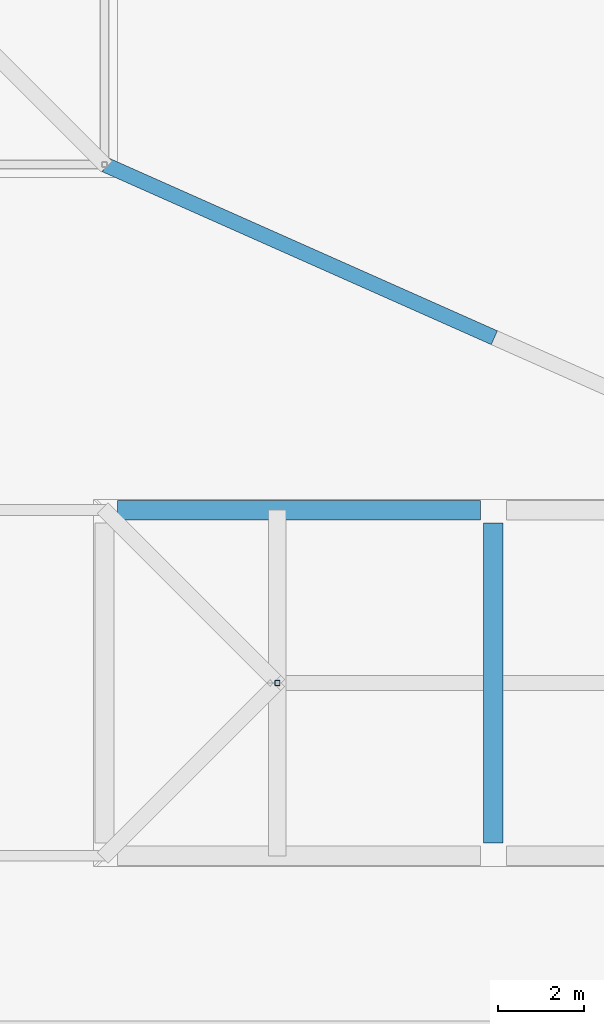
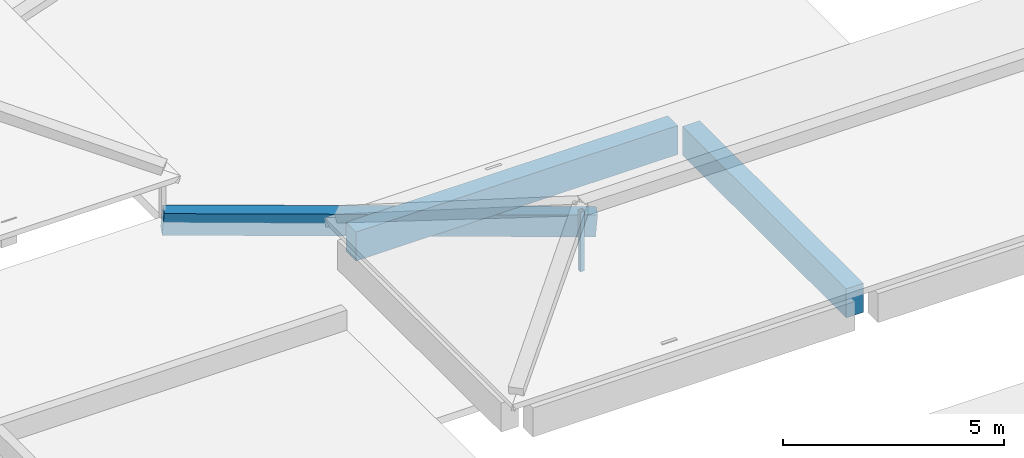
# One storey, part 10 of 56: 3 beams, 1 member.
"""IFC4 building model written with IfcOpenShell, lengths in metres."""

from ifc_helpers import new_model, si_unit, direction, frame, origin, origin_2d, place, context, subcontext, project, spatial, rectangle, hollow_rectangle, extrude, material, material_profile, profile_set, type_object, element, save


model = new_model("IFC4")

# Units and contexts
model_context = context("Model", 3, precision=1e-05, world=origin(), true_north=direction((0.0, 1.0)))
body_context = subcontext(model_context, "Body", "Model", "MODEL_VIEW")
ifc_project = project(units=[si_unit("LENGTHUNIT", "METRE"), si_unit("AREAUNIT", "SQUARE_METRE"), si_unit("VOLUMEUNIT", "CUBIC_METRE"), si_unit("PLANEANGLEUNIT", "RADIAN"), si_unit("MASSUNIT", "GRAM", prefix="KILO")], contexts=[model_context])

# Site, building, storey
site_placement = place(None, origin())
site = spatial("IfcSite", under=ifc_project, at=site_placement, CompositionType="ELEMENT")
building_placement = place(site_placement, origin())
building = spatial("IfcBuilding", under=site, at=building_placement, Name="Zacnel Wholesale Market", CompositionType="ELEMENT")
storey_placement = place(building_placement, frame((0.0, 0.0, 20.300048828125)))
storey = spatial("IfcBuildingStorey", under=building, at=storey_placement, Name="RF", CompositionType="ELEMENT", Elevation=20.300048828125)

# Beams
ifc_material_1 = material(Name="Concrete C40/50", Category="concrete")
ifc_material_profile_1 = material_profile(ifc_material_1, rectangle(XDim=0.35009765625, YDim=0.60009765625, at=origin_2d()), Name="ARCH RIB 350x600")
ifc_profile_set_1 = profile_set([ifc_material_profile_1], Name="Concrete C40/50")
beam_type_1 = type_object("IfcBeamType", Name="BM-AR600", PredefinedType="USERDEFINED", material=ifc_profile_set_1)
beam_1_placement = place(storey_placement, frame((126.0, 28.0, -5.920166015625), z_axis=(-0.911031368567, 0.404902830474, 0.077945771931), x_axis=(-0.406138466053, -0.91381154862, 0.0)))
element("IfcBeam", 1, at=beam_1_placement, inside=storey, type_object=beam_type_1, Name="Auction pavilion hip rib 2-2", ObjectType="ARCH RIB", PredefinedType="USERDEFINED", context=body_context, shape_type="SweptSolid", body=[
    extrude(rectangle(XDim=0.35009765625, YDim=0.60009765625, at=origin_2d()), origin(), (0.0, 0.0, 1.0), 9.87890625),
])
ifc_material_2 = material(Name="Precast concrete C45/55", Category="concrete")
ifc_material_profile_2 = material_profile(ifc_material_2, rectangle(XDim=0.449951171875, YDim=0.800048828125, at=origin_2d()), Name="PG 450x800")
ifc_profile_set_2 = profile_set([ifc_material_profile_2], Name="Precast concrete C45/55")
beam_type_2 = type_object("IfcBeamType", Name="BM-PG800", PredefinedType="BEAM", material=ifc_profile_set_2)
beam_2_placement = place(storey_placement, frame((117.300048828125, 24.0, -1.0), z_axis=(1.0, 0.0, 0.0), x_axis=(0.0, 1.0, 0.0)))
element("IfcBeam", 2, at=beam_2_placement, inside=storey, type_object=beam_type_2, Name="Precast wing girder X V4EL4-004", PredefinedType="BEAM", context=body_context, shape_type="SweptSolid", body=[
    extrude(rectangle(XDim=0.449951171875, YDim=0.800048828125, at=origin_2d()), origin(), (0.0, 0.0, 1.0), 8.39990234375),
])
beam_3_placement = place(storey_placement, frame((126.0, 16.300048828125, -1.0), z_axis=(0.0, 1.0, 0.0), x_axis=(-1.0, 0.0, 0.0)))
element("IfcBeam", 3, at=beam_3_placement, inside=storey, type_object=beam_type_2, Name="Precast wing girder Y V4EL4-008", PredefinedType="BEAM", context=body_context, shape_type="SweptSolid", body=[
    extrude(rectangle(XDim=0.449951171875, YDim=0.800048828125, at=origin_2d()), origin(), (0.0, 0.0, 1.0), 7.39990234375),
])

# Member
ifc_material_3 = material(Name="Steel S355", Category="steel")
ifc_material_profile_3 = material_profile(ifc_material_3, hollow_rectangle(XDim=0.1201171875, YDim=0.1201171875, WallThickness=0.00634765625, InnerFilletRadius=0.006103515625, OuterFilletRadius=0.011962890625, at=origin_2d()), Name="HSS 120x120x6.3")
ifc_profile_set_3 = profile_set([ifc_material_profile_3], Name="Steel S355")
member_type = type_object("IfcMemberType", Name="MEM-PST-HSS120", PredefinedType="POST", material=ifc_profile_set_3)
member_placement = place(storey_placement, frame((121.0, 20.0, -0.650146484375), z_axis=(0.0, 0.0, 1.0), x_axis=(1.0, 0.0, 0.0)))
element("IfcMember", 4, at=member_placement, inside=storey, type_object=member_type, Name="Hipped crown king-post STR-ROOF-V4E-TOP-1", PredefinedType="POST", context=body_context, shape_type="SweptSolid", body=[
    extrude(hollow_rectangle(XDim=0.1201171875, YDim=0.1201171875, WallThickness=0.00634765625, InnerFilletRadius=0.006103515625, OuterFilletRadius=0.011962890625, at=origin_2d()), origin(), (0.0, 0.0, 1.0), 1.650146484375),
])

save(model, "model.ifc")
